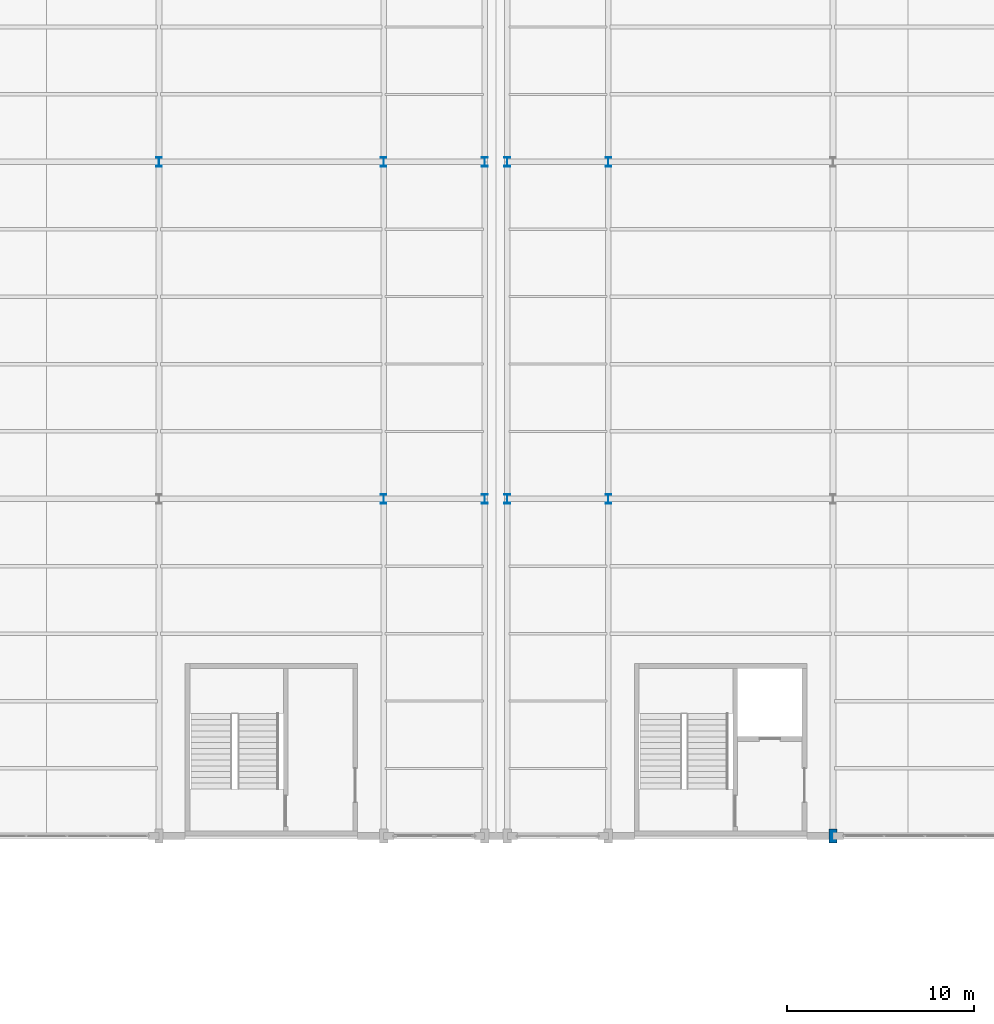
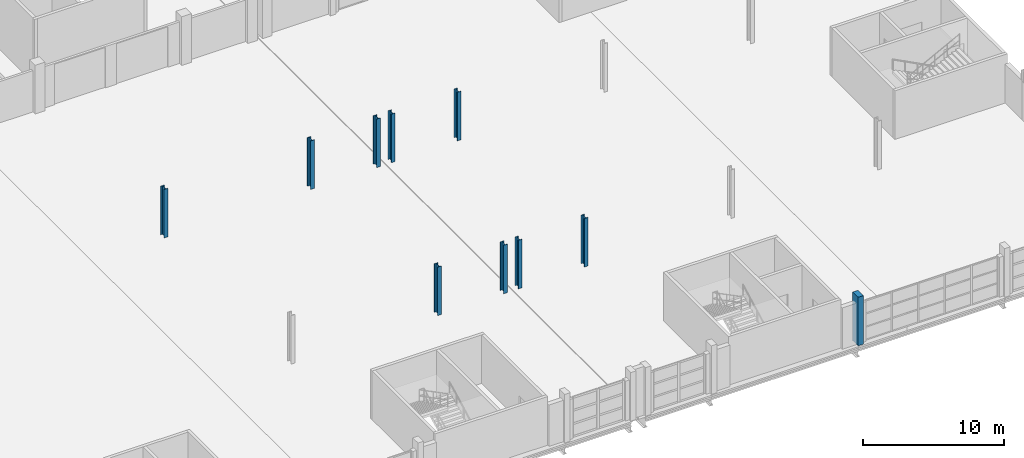
# One storey, part 18 of 147: 10 columns.
"""IFC4 building model written with IfcOpenShell, lengths in metres."""

import ifcopenshell
import ifcopenshell.guid

model = None  # the IFC model being written
_history = None  # IfcOwnerHistory: only IFC2X3 demands one
_inside = {}  # id of a spatial element -> (the spatial element, [elements in it])
_under = {}  # id of a project, library or spatial element -> (it, [spatial elements below it])
_declared = {}  # id of a project -> (the project, [libraries it declares])
_typed = {}  # id of a type object -> (the type object, [elements of that type])
_made_of = {}  # id of a material, layer set ... -> (it, [elements and type objects made of it])


def new_model(schema):
    """Start an empty IFC model of exactly this schema.

    Asked for "IFC4X3", IfcOpenShell would pick the latest addendum, in which some entities
    have other attributes; the version numbers below select the first issue.
    IFC2X3 requires an IfcOwnerHistory on every rooted entity: one is made here for all.
    """
    global model, _history
    if schema == "IFC4X3":
        model = ifcopenshell.file(schema_version=(4, 3, 0, 0))
    else:
        model = ifcopenshell.file(schema=schema)
    _inside.clear()
    _under.clear()
    _declared.clear()
    _typed.clear()
    _made_of.clear()
    _history = None
    if model.schema == "IFC2X3":
        org = make("IfcOrganization", Name="unknown")
        user = make(
            "IfcPersonAndOrganization",
            ThePerson=make("IfcPerson", FamilyName="unknown"),
            TheOrganization=org,
        )
        app = make(
            "IfcApplication",
            ApplicationDeveloper=org,
            Version="unknown",
            ApplicationFullName="unknown",
            ApplicationIdentifier="unknown",
        )
        _history = make(
            "IfcOwnerHistory",
            OwningUser=user,
            OwningApplication=app,
            ChangeAction="ADDED",
            CreationDate=0,
        )
    return model


def make(cls, **values):
    """One entity of the class cls with the attributes given. An attribute that is None is left unset."""
    return model.create_entity(
        cls, **{name: value for name, value in values.items() if value is not None}
    )


def rooted(cls, **values):
    """An entity with a GlobalId (a new one), such as an element, a storey or a relation."""
    return make(cls, GlobalId=ifcopenshell.guid.new(), OwnerHistory=_history, **values)


def si_unit(unit_type, name, prefix=None):
    """IfcSIUnit, for example si_unit("LENGTHUNIT", "METRE", prefix="MILLI")."""
    return make("IfcSIUnit", UnitType=unit_type, Prefix=prefix, Name=name)


def assignment(units):
    """IfcUnitAssignment: the units of a project."""
    return None if units is None else make("IfcUnitAssignment", Units=units)


def point(xyz):
    """IfcCartesianPoint."""
    return None if xyz is None else make("IfcCartesianPoint", Coordinates=xyz)


def direction(xyz):
    """IfcDirection."""
    return None if xyz is None else make("IfcDirection", DirectionRatios=xyz)


def frame(location, z_axis=None, x_axis=None):
    """IfcAxis2Placement3D, a coordinate frame: its origin and axes. An axis left out is left unset."""
    return make(
        "IfcAxis2Placement3D",
        Location=point(location),
        Axis=direction(z_axis),
        RefDirection=direction(x_axis),
    )


def frame_2d(location, x_axis=None):
    """IfcAxis2Placement2D, a coordinate frame in the plane: its origin and x axis."""
    return make(
        "IfcAxis2Placement2D", Location=point(location), RefDirection=direction(x_axis)
    )


def origin():
    """The frame at (0, 0, 0) with its axes left unset."""
    return frame((0.0, 0.0, 0.0))


def origin_2d():
    """The frame at (0, 0) in the plane with its x axis left unset."""
    return frame_2d((0.0, 0.0))


def place(relative_to, where):
    """IfcLocalPlacement: puts the frame where relative to a parent placement (None: the world)."""
    return make(
        "IfcLocalPlacement", PlacementRelTo=relative_to, RelativePlacement=where
    )


def context(
    kind, dimensions, precision=None, world=None, true_north=None, identifier=None
):
    """IfcGeometricRepresentationContext, for example the 3D "Model" context."""
    return make(
        "IfcGeometricRepresentationContext",
        ContextIdentifier=identifier,
        ContextType=kind,
        CoordinateSpaceDimension=dimensions,
        Precision=precision,
        WorldCoordinateSystem=world,
        TrueNorth=true_north,
    )


def subcontext(parent, identifier, kind, view, scale=None):
    """IfcGeometricRepresentationSubContext, for example "Body" below "Model"."""
    return make(
        "IfcGeometricRepresentationSubContext",
        ContextIdentifier=identifier,
        ContextType=kind,
        ParentContext=parent,
        TargetScale=scale,
        TargetView=view,
    )


def project(units=None, contexts=None):
    """IfcProject with its units and contexts."""
    return rooted(
        "IfcProject",
        Name="project",
        RepresentationContexts=contexts,
        UnitsInContext=assignment(units),
    )


def spatial(cls, under=None, at=None, **own):
    """A site, building, storey or space (cls), placed at a placement, below another one or the project."""
    s = rooted(cls, ObjectPlacement=at, **own)
    if under is not None:
        _under.setdefault(under.id(), (under, []))[1].append(s)
    return s


def profile(cls, at=None, kind="AREA", **sizes):
    """A parametric profile (cls). Its sizes go by their IFC names, for example OverallWidth=200.0."""
    return make(cls, ProfileType=kind, Position=at, **sizes)


def rectangle(**sizes):
    """IfcRectangleProfileDef."""
    return profile("IfcRectangleProfileDef", **sizes)


def i_section(**sizes):
    """IfcIShapeProfileDef."""
    return profile("IfcIShapeProfileDef", **sizes)


def extrude(swept, where, along, depth):
    """IfcExtrudedAreaSolid: the profile swept, set in the frame where, extruded along a direction by depth."""
    return make(
        "IfcExtrudedAreaSolid",
        SweptArea=swept,
        Position=where,
        ExtrudedDirection=direction(along),
        Depth=depth,
    )


def shape(context_of_items, identifier, shape_type, items):
    """IfcShapeRepresentation: the items that make up one representation, for example the "Body"."""
    return make(
        "IfcShapeRepresentation",
        ContextOfItems=context_of_items,
        RepresentationIdentifier=identifier,
        RepresentationType=shape_type,
        Items=items,
    )


def material(Name=None, Category=None):
    """IfcMaterial."""
    return make("IfcMaterial", Name=Name, Category=Category)


def material_profile(
    of_material, cross_section, Name=None, Category=None, Priority=None
):
    """IfcMaterialProfile: a cross section and its material."""
    return make(
        "IfcMaterialProfile",
        Name=Name,
        Material=of_material,
        Profile=cross_section,
        Priority=Priority,
        Category=Category,
    )


def profile_set(profiles, Name=None, composite=None):
    """IfcMaterialProfileSet."""
    return make(
        "IfcMaterialProfileSet",
        Name=Name,
        MaterialProfiles=profiles,
        CompositeProfile=composite,
    )


def made_of(thing, what):
    """Note that an element or type object is made of a material, layer set ...; save() writes the relation."""
    if what is not None:
        _made_of.setdefault(what.id(), (what, []))[1].append(thing)
    return thing


def type_object(cls, material=None, **own):
    """A type object (cls), such as IfcWallType, which elements share."""
    return made_of(rooted(cls, **own), material)


def element(
    cls,
    number,
    at=None,
    inside=None,
    cuts=None,
    type_object=None,
    material=None,
    context=None,
    identifier="Body",
    shape_type=None,
    held_by="IfcProductDefinitionShape",
    body=None,
    shapes=None,
    **own,
):
    """One element of the class cls, such as IfcWall. Its Tag is "e" and its number.

    at: its placement. inside: the storey or other place that contains it. cuts: it is an
    opening in that element (IfcRelVoidsElement). A single representation is given by context,
    identifier, shape_type and body (its items); several are given by shapes. held_by: the class
    of the entity that holds the representations. save() writes the other relations.
    """
    e = rooted(cls, Tag="e%d" % number, ObjectPlacement=at, **own)
    if body is not None:
        shapes = [shape(context, identifier, shape_type, body)]
    if shapes is not None:
        e.Representation = make(held_by, Representations=shapes)
    if inside is not None:
        _inside.setdefault(inside.id(), (inside, []))[1].append(e)
    if cuts is not None:
        rooted(
            "IfcRelVoidsElement", RelatingBuildingElement=cuts, RelatedOpeningElement=e
        )
    if type_object is not None:
        _typed.setdefault(type_object.id(), (type_object, []))[1].append(e)
    return made_of(e, material)


def aggregate(whole, parts):
    """IfcRelAggregates: a whole, such as a stair, and the parts it consists of."""
    return rooted("IfcRelAggregates", RelatingObject=whole, RelatedObjects=parts)


def save(model, path):
    """Write the relations noted so far, then the file.

    IfcRelAggregates (storeys below a building ...), IfcRelContainedInSpatialStructure (elements
    in a storey), IfcRelDefinesByType, IfcRelAssociatesMaterial and IfcRelDeclares: one each for
    every whole, place, type object, material and project.
    """
    for whole, parts in _under.values():
        aggregate(whole, parts)
    for where, things in _inside.values():
        rooted(
            "IfcRelContainedInSpatialStructure",
            RelatedElements=things,
            RelatingStructure=where,
        )
    for kind, things in _typed.values():
        rooted("IfcRelDefinesByType", RelatedObjects=things, RelatingType=kind)
    for what, things in _made_of.values():
        rooted("IfcRelAssociatesMaterial", RelatedObjects=things, RelatingMaterial=what)
    for by, libraries in _declared.values():
        rooted("IfcRelDeclares", RelatingContext=by, RelatedDefinitions=libraries)
    model.write(path)


model = new_model("IFC4")

# Units and contexts
model_context = context("Model", 3, precision=1e-05, world=origin(), true_north=direction((0.0, 1.0)))
body_context = subcontext(model_context, "Body", "Model", "MODEL_VIEW")
ifc_project = project(units=[si_unit("LENGTHUNIT", "METRE"), si_unit("AREAUNIT", "SQUARE_METRE"), si_unit("VOLUMEUNIT", "CUBIC_METRE"), si_unit("PLANEANGLEUNIT", "RADIAN"), si_unit("MASSUNIT", "GRAM", prefix="KILO")], contexts=[model_context])

# Site, building, storey
site_placement = place(None, origin())
site = spatial("IfcSite", under=ifc_project, at=site_placement, CompositionType="ELEMENT")
building_placement = place(site_placement, origin())
building = spatial("IfcBuilding", under=site, at=building_placement, Name="Zilviju Railside Exhibition Hall", CompositionType="ELEMENT")
storey_placement = place(building_placement, frame((0.0, 0.0, 8.39990234375)))
storey = spatial("IfcBuildingStorey", under=building, at=storey_placement, Name="L03", CompositionType="ELEMENT", Elevation=8.39990234375)

# Columns
ifc_material_1 = material(Name="Steel S355J2", Category="steel")
ifc_material_profile_1 = material_profile(ifc_material_1, i_section(OverallWidth=0.300048828125, OverallDepth=0.5, WebThickness=0.014404296875, FlangeThickness=0.028076171875, at=origin_2d()), Name="HEB 500")
ifc_profile_set_1 = profile_set([ifc_material_profile_1], Name="Steel S355J2")
column_type_1 = type_object("IfcColumnType", Name="COL-ST-HEB500", PredefinedType="COLUMN", material=ifc_profile_set_1)
for number, where, z_axis, x_axis, name in (
    (1, (168.0, 102.0, 0.0), (0.0, 0.0, 1.0), (1.0, 0.0, 0.0), "Structural Column L03 (168.0, 102.0)"),
    (2, (173.39990234375, 102.0, 0.0), (0.0, 0.0, 1.0), (1.0, 0.0, 0.0), "Structural Column L03 (173.4, 102.0)"),
    (3, (174.60009765625, 102.0, 0.0), (0.0, 0.0, 1.0), (1.0, 0.0, 0.0), "Structural Column L03 (174.6, 102.0)"),
    (4, (180.0, 102.0, 0.0), (0.0, 0.0, 1.0), (1.0, 0.0, 0.0), "Structural Column L03 (180.0, 102.0)"),
    (5, (156.0, 120.0, 0.0), (0.0, 0.0, 1.0), (1.0, 0.0, 0.0), "Structural Column L03 (156.0, 120.0)"),
    (6, (168.0, 120.0, 0.0), (0.0, 0.0, 1.0), (1.0, 0.0, 0.0), "Structural Column L03 (168.0, 120.0)"),
    (7, (173.39990234375, 120.0, 0.0), (0.0, 0.0, 1.0), (1.0, 0.0, 0.0), "Structural Column L03 (173.4, 120.0)"),
    (8, (174.60009765625, 120.0, 0.0), (0.0, 0.0, 1.0), (1.0, 0.0, 0.0), "Structural Column L03 (174.6, 120.0)"),
    (9, (180.0, 120.0, 0.0), (0.0, 0.0, 1.0), (1.0, 0.0, 0.0), "Structural Column L03 (180.0, 120.0)"),
):
    element("IfcColumn", number, at=place(storey_placement, frame(where, z_axis=z_axis, x_axis=x_axis)), inside=storey, type_object=column_type_1, Name=name, PredefinedType="COLUMN", context=body_context, shape_type="SweptSolid", body=[
        extrude(i_section(OverallWidth=0.300048828125, OverallDepth=0.5, WebThickness=0.014404296875, FlangeThickness=0.028076171875, at=origin_2d()), origin(), (0.0, 0.0, 1.0), 4.2001953125),
    ])
ifc_material_2 = material(Name="Concrete C40/50", Category="concrete")
ifc_material_profile_2 = material_profile(ifc_material_2, rectangle(XDim=0.449951171875, YDim=0.75, at=origin_2d()), Name="RC COL 450x750")
ifc_profile_set_2 = profile_set([ifc_material_profile_2], Name="Concrete C40/50")
column_type_2 = type_object("IfcColumnType", Name="PIL-RC-750x450", PredefinedType="PILASTER", material=ifc_profile_set_2)
column_placement = place(storey_placement, frame((192.0, 84.0, 0.0), z_axis=(0.0, 0.0, 1.0), x_axis=(1.0, 0.0, 0.0)))
element("IfcColumn", 10, at=column_placement, inside=storey, type_object=column_type_2, Name="Structural Column L03 (192.0, 84.0)", PredefinedType="PILASTER", context=body_context, shape_type="SweptSolid", body=[
    extrude(rectangle(XDim=0.449951171875, YDim=0.75, at=origin_2d()), origin(), (0.0, 0.0, 1.0), 4.2001953125),
])

save(model, "model.ifc")
